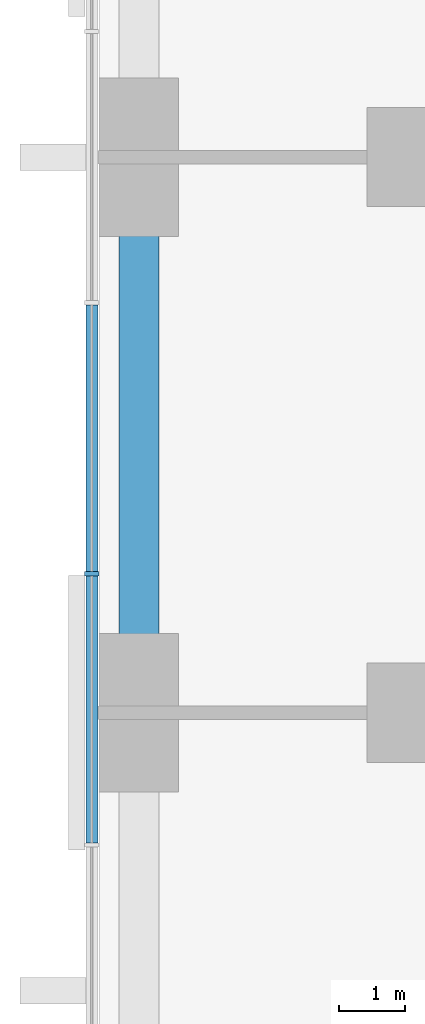
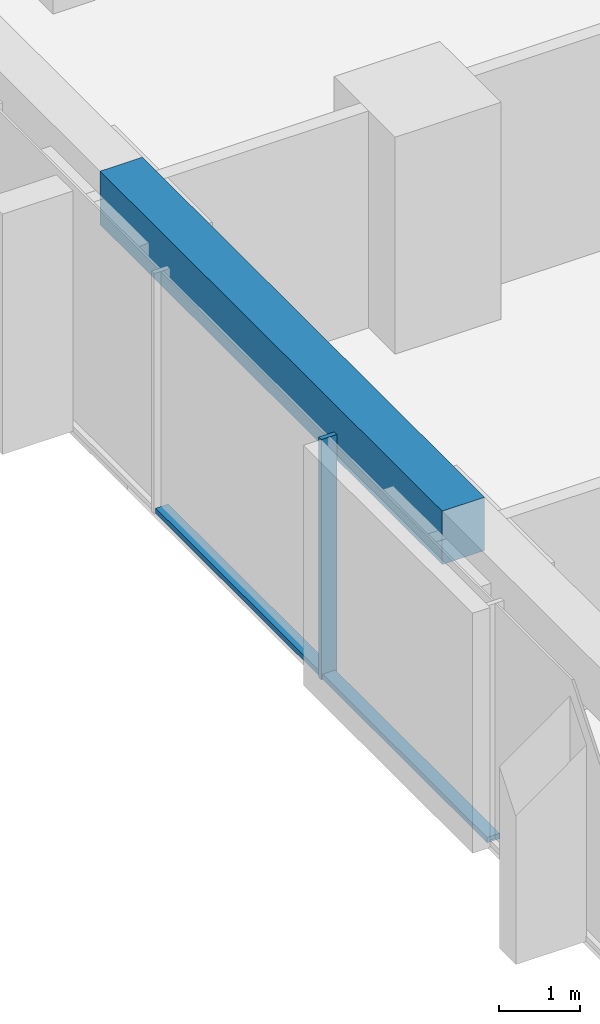
# One storey, part 3 of 13: 3 members, 1 beam, 1 element without a shape of its own.
"""IFC4 building model written with IfcOpenShell, lengths in metres."""

from ifc_helpers import new_model, si_unit, direction, frame, origin, origin_2d, place, context, subcontext, project, spatial, rectangle, extrude, material, material_profile, profile_set, type_object, element, aggregate, save


model = new_model("IFC4")

# Units and contexts
model_context = context("Model", 3, precision=1e-05, world=origin(), true_north=direction((0.0, 1.0)))
body_context = subcontext(model_context, "Body", "Model", "MODEL_VIEW")
ifc_project = project(units=[si_unit("LENGTHUNIT", "METRE"), si_unit("AREAUNIT", "SQUARE_METRE"), si_unit("VOLUMEUNIT", "CUBIC_METRE"), si_unit("PLANEANGLEUNIT", "RADIAN"), si_unit("MASSUNIT", "GRAM", prefix="KILO")], contexts=[model_context])

# Site, building, storey
site_placement = place(None, origin())
site = spatial("IfcSite", under=ifc_project, at=site_placement, CompositionType="ELEMENT")
building_placement = place(site_placement, origin())
building = spatial("IfcBuilding", under=site, at=building_placement, Name="Dunama Terrace Hotel", CompositionType="ELEMENT")
storey_placement = place(building_placement, frame((0.0, 0.0, 111.60009765625)))
storey = spatial("IfcBuildingStorey", under=building, at=storey_placement, Name="L28", CompositionType="ELEMENT", Elevation=111.60009765625)

# Curtain wall, members
ifc_material_1 = material(Name="Aluminium curtain wall system", Category="aluminium")
curtain_wall_type = type_object("IfcCurtainWallType", Name="Unitised fritted glass wall CW-B", PredefinedType="NOTDEFINED", material=ifc_material_1)
curtain_wall_placement = place(storey_placement, origin())
curtain_wall = element("IfcCurtainWall", 1, at=curtain_wall_placement, inside=storey, type_object=curtain_wall_type, Name="Unitised fritted glass wall CW-B L28", PredefinedType="NOTDEFINED")
ifc_material_2 = material(Name="Aluminium mullion", Category="aluminium")
ifc_material_profile_1 = material_profile(ifc_material_2, rectangle(XDim=0.06494140625, YDim=0.219970703125, at=origin_2d()), Name="CWB MULLION 65X220")
ifc_profile_set_1 = profile_set([ifc_material_profile_1], Name="Aluminium mullion")
member_type_1 = type_object("IfcMemberType", Name="CWB mullion 65x220", PredefinedType="MULLION", material=ifc_profile_set_1)
member_1_placement = place(storey_placement, frame((-0.110107421875, 27.300048828125, 0.0), z_axis=(0.0, 0.0, 1.0), x_axis=(0.0, -1.0, 0.0)))
member_1 = element("IfcMember", 2, at=member_1_placement, type_object=member_type_1, Name="CWB mullion", PredefinedType="MULLION", context=body_context, shape_type="SweptSolid", body=[
    extrude(rectangle(XDim=0.06494140625, YDim=0.219970703125, at=origin_2d()), origin(), (0.0, 0.0, 1.0), 3.599853515625),
])
ifc_material_3 = material(Name="Aluminium transom", Category="aluminium")
ifc_material_profile_2 = material_profile(ifc_material_3, rectangle(XDim=0.179931640625, YDim=0.080078125, at=origin_2d()), Name="CWB TRANSOM 180X80")
ifc_profile_set_2 = profile_set([ifc_material_profile_2], Name="Aluminium transom")
member_type_2 = type_object("IfcMemberType", Name="CWB transom 180x80", PredefinedType="USERDEFINED", material=ifc_profile_set_2)
member_2_placement = place(storey_placement, frame((-0.110107421875, 31.366943359375, 0.039794921875), z_axis=(0.0, -1.0, 0.0), x_axis=(1.0, 0.0, 0.0)))
member_2 = element("IfcMember", 3, at=member_2_placement, type_object=member_type_2, Name="CWB transom", ObjectType="TRANSOM", PredefinedType="USERDEFINED", context=body_context, shape_type="SweptSolid", body=[
    extrude(rectangle(XDim=0.179931640625, YDim=0.080078125, at=origin_2d()), origin(), (0.0, 0.0, 1.0), 4.034912109375),
])
member_3_placement = place(storey_placement, frame((-0.110107421875, 27.26806640625, 0.039794921875), z_axis=(0.0, -1.0, 0.0), x_axis=(1.0, 0.0, 0.0)))
member_3 = element("IfcMember", 4, at=member_3_placement, type_object=member_type_2, Name="CWB transom", ObjectType="TRANSOM", PredefinedType="USERDEFINED", context=body_context, shape_type="SweptSolid", body=[
    extrude(rectangle(XDim=0.179931640625, YDim=0.080078125, at=origin_2d()), origin(), (0.0, 0.0, 1.0), 4.03515625),
])
aggregate(curtain_wall, [member_1, member_2, member_3])

# Beam
ifc_material_4 = material(Name="Concrete C40/50", Category="concrete")
ifc_material_profile_3 = material_profile(ifc_material_4, rectangle(XDim=0.60009765625, YDim=0.800048828125, at=origin_2d()), Name="RC 600x800")
ifc_profile_set_3 = profile_set([ifc_material_profile_3], Name="Concrete C40/50")
beam_type = type_object("IfcBeamType", Name="Edge beam RC 600x800", PredefinedType="SPANDREL", material=ifc_profile_set_3)
beam_placement = place(storey_placement, frame((0.60009765625, 25.199951171875, 3.199951171875), z_axis=(0.0, 1.0, 0.0), x_axis=(-1.0, 0.0, 0.0)))
element("IfcBeam", 5, at=beam_placement, inside=storey, type_object=beam_type, Name="Edge beam under L29", PredefinedType="SPANDREL", context=body_context, shape_type="SweptSolid", body=[
    extrude(rectangle(XDim=0.60009765625, YDim=0.800048828125, at=origin_2d()), origin(), (0.0, 0.0, 1.0), 8.400146484375),
])

save(model, "model.ifc")
